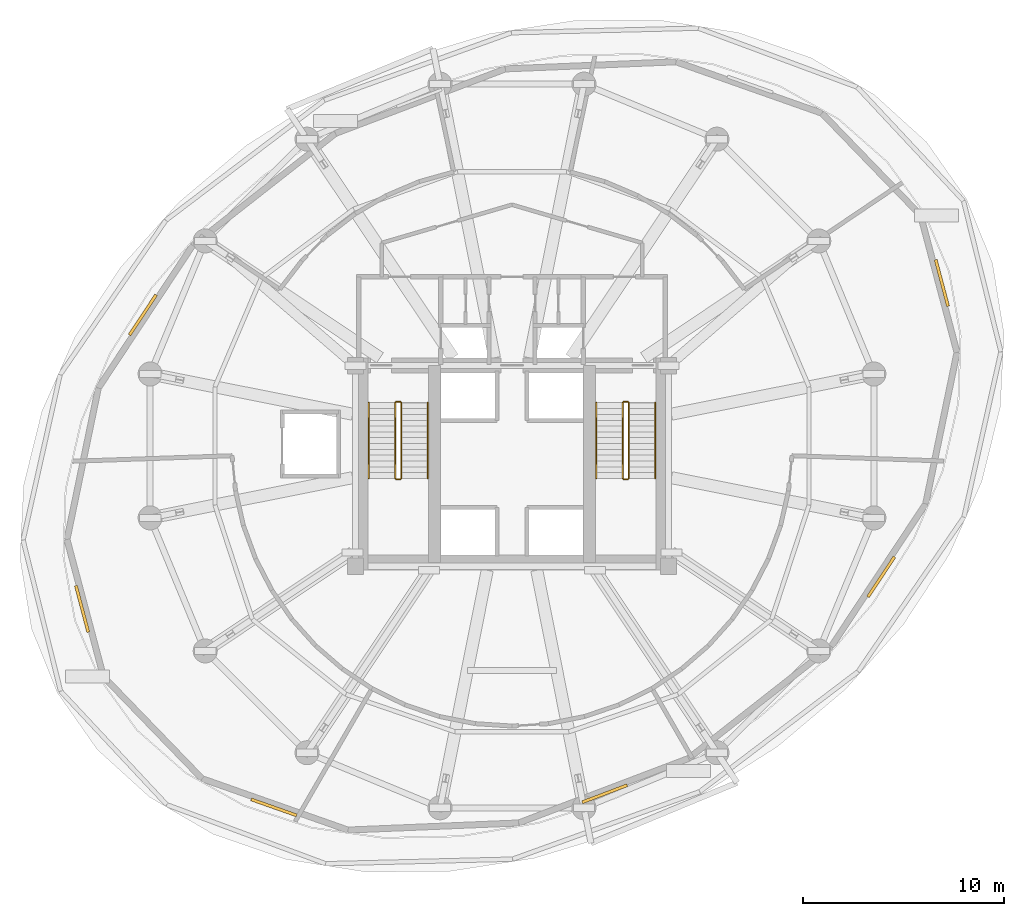
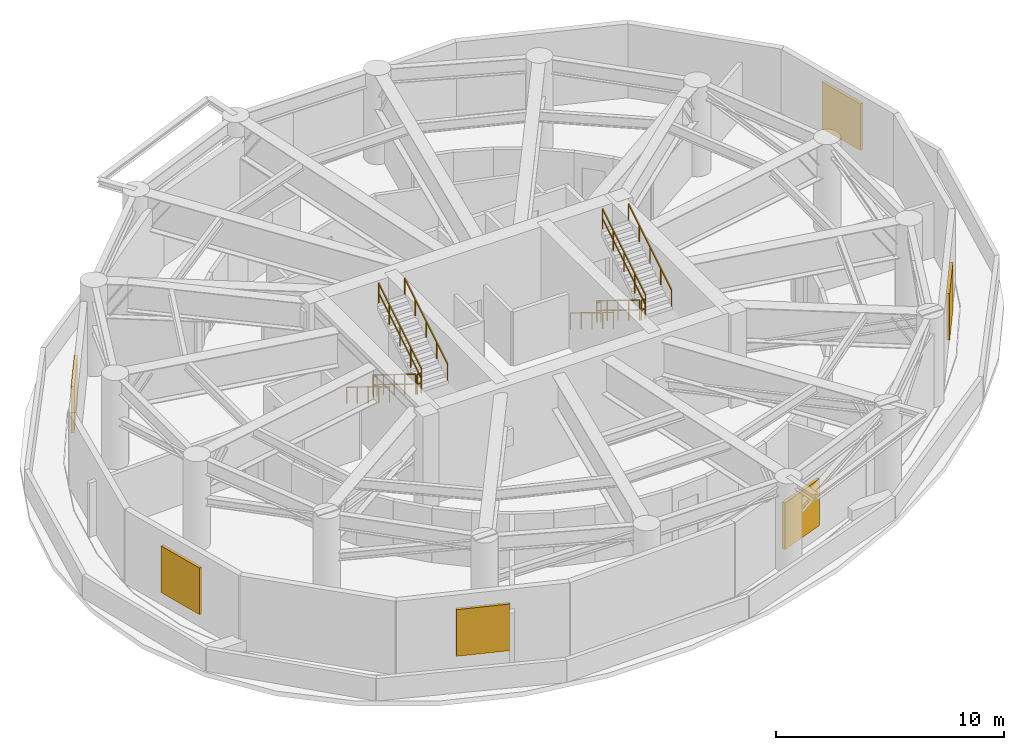
# One storey, part 6 of 7: 12 railings, 6 shading devices.
"""IFC4 building model written with IfcOpenShell, lengths in metres."""

from ifc_helpers import new_model, si_unit, direction, frame, origin, origin_2d, place, context, subcontext, project, spatial, rectangle, extrude, material, layer, layer_set, type_object, element, save


model = new_model("IFC4")

# Units and contexts
model_context = context("Model", 3, precision=1e-05, world=origin(), true_north=direction((0.0, 1.0)))
body_context = subcontext(model_context, "Body", "Model", "MODEL_VIEW")
ifc_project = project(units=[si_unit("LENGTHUNIT", "METRE"), si_unit("AREAUNIT", "SQUARE_METRE"), si_unit("VOLUMEUNIT", "CUBIC_METRE"), si_unit("PLANEANGLEUNIT", "RADIAN"), si_unit("MASSUNIT", "GRAM", prefix="KILO"), si_unit("THERMODYNAMICTEMPERATUREUNIT", "KELVIN"), si_unit("POWERUNIT", "WATT")], contexts=[model_context])

# Site, building, storey
site_placement = place(None, origin())
site = spatial("IfcSite", under=ifc_project, at=site_placement, CompositionType="ELEMENT")
building_placement = place(site_placement, origin())
building = spatial("IfcBuilding", under=site, at=building_placement, Name="Ocrelia Relay Tower", CompositionType="ELEMENT")
storey_placement = place(building_placement, frame((0.0, 0.0, 157.800048828125)))
storey = spatial("IfcBuildingStorey", under=building, at=storey_placement, Name="L37", CompositionType="ELEMENT", Elevation=157.800048828125)

# Railings
ifc_material_1 = material(Name="Steel S355 balustrade", Category="steel")
railing_type_1 = type_object("IfcRailingType", Name="RL-STAIR-GUARD", PredefinedType="GUARDRAIL", material=ifc_material_1)
railing_1_placement = place(storey_placement, frame((28.179931640625, 28.14990234375, 0.178466796875)))
element("IfcRailing", 1, at=railing_1_placement, inside=storey, type_object=railing_type_1, Name="L37 ST1 stair guard 1", PredefinedType="GUARDRAIL", context=body_context, shape_type="SweptSolid", body=[
    extrude(rectangle(XDim=0.048095703125, YDim=0.048095703125, at=origin_2d()), frame((0.0, 0.0, 1.076171875), z_axis=(0.0, -0.851504923564, 0.524346607834), x_axis=(1.0, 0.0, 0.0)), (0.0, 0.0, 1.0), 4.427490234375),
    extrude(rectangle(XDim=0.048095703125, YDim=0.048095703125, at=origin_2d()), frame((0.0, 0.0, 0.550048828125), z_axis=(0.0, -0.851504923564, 0.524346607834), x_axis=(1.0, 0.0, 0.0)), (0.0, 0.0, 1.0), 4.427490234375),
    extrude(rectangle(XDim=0.0419921875, YDim=0.0419921875, at=origin_2d()), origin(), (0.0, 0.0, 1.0), 1.052001953125),
    extrude(rectangle(XDim=0.0419921875, YDim=0.0419921875, at=origin_2d()), frame((0.0, -0.9423828125, 0.580322265625)), (0.0, 0.0, 1.0), 1.052001953125),
    extrude(rectangle(XDim=0.0419921875, YDim=0.0419921875, at=origin_2d()), frame((0.0, -1.885009765625, 1.16064453125)), (0.0, 0.0, 1.0), 1.052001953125),
    extrude(rectangle(XDim=0.0419921875, YDim=0.0419921875, at=origin_2d()), frame((0.0, -2.82763671875, 1.7412109375)), (0.0, 0.0, 1.0), 1.052001953125),
    extrude(rectangle(XDim=0.0419921875, YDim=0.0419921875, at=origin_2d()), frame((0.0, -3.77001953125, 2.321533203125)), (0.0, 0.0, 1.0), 1.052001953125),
])
railing_2_placement = place(storey_placement, frame((28.22998046875, 24.330078125, 2.5)))
element("IfcRailing", 2, at=railing_2_placement, inside=storey, type_object=railing_type_1, Name="L37 ST1 stair guard 2", PredefinedType="GUARDRAIL", context=body_context, shape_type="SweptSolid", body=[
    extrude(rectangle(XDim=0.048095703125, YDim=0.048095703125, at=origin_2d()), frame((0.0, 0.0, 1.076171875), z_axis=(1.0, 0.0, 0.0), x_axis=(0.0, 1.0, 0.0)), (0.0, 0.0, 1.0), 0.199951171875),
    extrude(rectangle(XDim=0.048095703125, YDim=0.048095703125, at=origin_2d()), frame((0.0, 0.0, 0.550048828125), z_axis=(1.0, 0.0, 0.0), x_axis=(0.0, 1.0, 0.0)), (0.0, 0.0, 1.0), 0.199951171875),
    extrude(rectangle(XDim=0.0419921875, YDim=0.0419921875, at=origin_2d()), origin(), (0.0, 0.0, 1.0), 1.052001953125),
    extrude(rectangle(XDim=0.0419921875, YDim=0.0419921875, at=origin_2d()), frame((0.199951171875, 0.0, 0.0)), (0.0, 0.0, 1.0), 1.052001953125),
])
railing_3_placement = place(storey_placement, frame((28.47998046875, 24.3798828125, 2.678466796875)))
element("IfcRailing", 3, at=railing_3_placement, inside=storey, type_object=railing_type_1, Name="L37 ST1 stair guard 3", PredefinedType="GUARDRAIL", context=body_context, shape_type="SweptSolid", body=[
    extrude(rectangle(XDim=0.048095703125, YDim=0.048095703125, at=origin_2d()), frame((0.0, 0.0, 1.076171875), z_axis=(0.0, 0.851504923564, 0.524346607834), x_axis=(-1.0, 0.0, 0.0)), (0.0, 0.0, 1.0), 4.427490234375),
    extrude(rectangle(XDim=0.048095703125, YDim=0.048095703125, at=origin_2d()), frame((0.0, 0.0, 0.550048828125), z_axis=(0.0, 0.851504923564, 0.524346607834), x_axis=(-1.0, 0.0, 0.0)), (0.0, 0.0, 1.0), 4.427490234375),
    extrude(rectangle(XDim=0.0419921875, YDim=0.0419921875, at=origin_2d()), origin(), (0.0, 0.0, 1.0), 1.052001953125),
    extrude(rectangle(XDim=0.0419921875, YDim=0.0419921875, at=origin_2d()), frame((0.0, 0.9423828125, 0.580322265625)), (0.0, 0.0, 1.0), 1.052001953125),
    extrude(rectangle(XDim=0.0419921875, YDim=0.0419921875, at=origin_2d()), frame((0.0, 1.885009765625, 1.16064453125)), (0.0, 0.0, 1.0), 1.052001953125),
    extrude(rectangle(XDim=0.0419921875, YDim=0.0419921875, at=origin_2d()), frame((0.0, 2.82763671875, 1.7412109375)), (0.0, 0.0, 1.0), 1.052001953125),
    extrude(rectangle(XDim=0.0419921875, YDim=0.0419921875, at=origin_2d()), frame((0.0, 3.77001953125, 2.321533203125)), (0.0, 0.0, 1.0), 1.052001953125),
])
railing_4_placement = place(storey_placement, frame((28.22998046875, 28.199951171875, 0.0)))
element("IfcRailing", 4, at=railing_4_placement, inside=storey, type_object=railing_type_1, Name="L37 ST1 stair guard 4", PredefinedType="GUARDRAIL", context=body_context, shape_type="SweptSolid", body=[
    extrude(rectangle(XDim=0.048095703125, YDim=0.048095703125, at=origin_2d()), frame((0.0, 0.0, 1.076171875), z_axis=(1.0, 0.0, 0.0), x_axis=(0.0, 1.0, 0.0)), (0.0, 0.0, 1.0), 0.199951171875),
    extrude(rectangle(XDim=0.048095703125, YDim=0.048095703125, at=origin_2d()), frame((0.0, 0.0, 0.550048828125), z_axis=(1.0, 0.0, 0.0), x_axis=(0.0, 1.0, 0.0)), (0.0, 0.0, 1.0), 0.199951171875),
    extrude(rectangle(XDim=0.0419921875, YDim=0.0419921875, at=origin_2d()), origin(), (0.0, 0.0, 1.0), 1.052001953125),
    extrude(rectangle(XDim=0.0419921875, YDim=0.0419921875, at=origin_2d()), frame((0.199951171875, 0.0, 0.0)), (0.0, 0.0, 1.0), 1.052001953125),
])
railing_5_placement = place(storey_placement, frame((39.530029296875, 28.14990234375, 0.178466796875)))
element("IfcRailing", 5, at=railing_5_placement, inside=storey, type_object=railing_type_1, Name="L37 ST2 stair guard 1", PredefinedType="GUARDRAIL", context=body_context, shape_type="SweptSolid", body=[
    extrude(rectangle(XDim=0.048095703125, YDim=0.048095703125, at=origin_2d()), frame((0.0, 0.0, 1.076171875), z_axis=(0.0, -0.851504923564, 0.524346607834), x_axis=(1.0, 0.0, 0.0)), (0.0, 0.0, 1.0), 4.427490234375),
    extrude(rectangle(XDim=0.048095703125, YDim=0.048095703125, at=origin_2d()), frame((0.0, 0.0, 0.550048828125), z_axis=(0.0, -0.851504923564, 0.524346607834), x_axis=(1.0, 0.0, 0.0)), (0.0, 0.0, 1.0), 4.427490234375),
    extrude(rectangle(XDim=0.0419921875, YDim=0.0419921875, at=origin_2d()), origin(), (0.0, 0.0, 1.0), 1.052001953125),
    extrude(rectangle(XDim=0.0419921875, YDim=0.0419921875, at=origin_2d()), frame((0.0, -0.9423828125, 0.580322265625)), (0.0, 0.0, 1.0), 1.052001953125),
    extrude(rectangle(XDim=0.0419921875, YDim=0.0419921875, at=origin_2d()), frame((0.0, -1.885009765625, 1.16064453125)), (0.0, 0.0, 1.0), 1.052001953125),
    extrude(rectangle(XDim=0.0419921875, YDim=0.0419921875, at=origin_2d()), frame((0.0, -2.82763671875, 1.7412109375)), (0.0, 0.0, 1.0), 1.052001953125),
    extrude(rectangle(XDim=0.0419921875, YDim=0.0419921875, at=origin_2d()), frame((0.0, -3.77001953125, 2.321533203125)), (0.0, 0.0, 1.0), 1.052001953125),
])
railing_6_placement = place(storey_placement, frame((39.580078125, 24.330078125, 2.5)))
element("IfcRailing", 6, at=railing_6_placement, inside=storey, type_object=railing_type_1, Name="L37 ST2 stair guard 2", PredefinedType="GUARDRAIL", context=body_context, shape_type="SweptSolid", body=[
    extrude(rectangle(XDim=0.048095703125, YDim=0.048095703125, at=origin_2d()), frame((0.0, 0.0, 1.076171875), z_axis=(1.0, 0.0, 0.0), x_axis=(0.0, 1.0, 0.0)), (0.0, 0.0, 1.0), 0.199951171875),
    extrude(rectangle(XDim=0.048095703125, YDim=0.048095703125, at=origin_2d()), frame((0.0, 0.0, 0.550048828125), z_axis=(1.0, 0.0, 0.0), x_axis=(0.0, 1.0, 0.0)), (0.0, 0.0, 1.0), 0.199951171875),
    extrude(rectangle(XDim=0.0419921875, YDim=0.0419921875, at=origin_2d()), origin(), (0.0, 0.0, 1.0), 1.052001953125),
    extrude(rectangle(XDim=0.0419921875, YDim=0.0419921875, at=origin_2d()), frame((0.199951171875, 0.0, 0.0)), (0.0, 0.0, 1.0), 1.052001953125),
])
railing_7_placement = place(storey_placement, frame((39.830078125, 24.3798828125, 2.678466796875)))
element("IfcRailing", 7, at=railing_7_placement, inside=storey, type_object=railing_type_1, Name="L37 ST2 stair guard 3", PredefinedType="GUARDRAIL", context=body_context, shape_type="SweptSolid", body=[
    extrude(rectangle(XDim=0.048095703125, YDim=0.048095703125, at=origin_2d()), frame((0.0, 0.0, 1.076171875), z_axis=(0.0, 0.851504923564, 0.524346607834), x_axis=(-1.0, 0.0, 0.0)), (0.0, 0.0, 1.0), 4.427490234375),
    extrude(rectangle(XDim=0.048095703125, YDim=0.048095703125, at=origin_2d()), frame((0.0, 0.0, 0.550048828125), z_axis=(0.0, 0.851504923564, 0.524346607834), x_axis=(-1.0, 0.0, 0.0)), (0.0, 0.0, 1.0), 4.427490234375),
    extrude(rectangle(XDim=0.0419921875, YDim=0.0419921875, at=origin_2d()), origin(), (0.0, 0.0, 1.0), 1.052001953125),
    extrude(rectangle(XDim=0.0419921875, YDim=0.0419921875, at=origin_2d()), frame((0.0, 0.9423828125, 0.580322265625)), (0.0, 0.0, 1.0), 1.052001953125),
    extrude(rectangle(XDim=0.0419921875, YDim=0.0419921875, at=origin_2d()), frame((0.0, 1.885009765625, 1.16064453125)), (0.0, 0.0, 1.0), 1.052001953125),
    extrude(rectangle(XDim=0.0419921875, YDim=0.0419921875, at=origin_2d()), frame((0.0, 2.82763671875, 1.7412109375)), (0.0, 0.0, 1.0), 1.052001953125),
    extrude(rectangle(XDim=0.0419921875, YDim=0.0419921875, at=origin_2d()), frame((0.0, 3.77001953125, 2.321533203125)), (0.0, 0.0, 1.0), 1.052001953125),
])
railing_8_placement = place(storey_placement, frame((39.580078125, 28.199951171875, 0.0)))
element("IfcRailing", 8, at=railing_8_placement, inside=storey, type_object=railing_type_1, Name="L37 ST2 stair guard 4", PredefinedType="GUARDRAIL", context=body_context, shape_type="SweptSolid", body=[
    extrude(rectangle(XDim=0.048095703125, YDim=0.048095703125, at=origin_2d()), frame((0.0, 0.0, 1.076171875), z_axis=(1.0, 0.0, 0.0), x_axis=(0.0, 1.0, 0.0)), (0.0, 0.0, 1.0), 0.199951171875),
    extrude(rectangle(XDim=0.048095703125, YDim=0.048095703125, at=origin_2d()), frame((0.0, 0.0, 0.550048828125), z_axis=(1.0, 0.0, 0.0), x_axis=(0.0, 1.0, 0.0)), (0.0, 0.0, 1.0), 0.199951171875),
    extrude(rectangle(XDim=0.0419921875, YDim=0.0419921875, at=origin_2d()), origin(), (0.0, 0.0, 1.0), 1.052001953125),
    extrude(rectangle(XDim=0.0419921875, YDim=0.0419921875, at=origin_2d()), frame((0.199951171875, 0.0, 0.0)), (0.0, 0.0, 1.0), 1.052001953125),
])
ifc_material_2 = material(Name="Steel S355 tubular handrail", Category="steel")
railing_type_2 = type_object("IfcRailingType", Name="RL-STAIR-HAND", PredefinedType="HANDRAIL", material=ifc_material_2)
railing_9_placement = place(storey_placement, frame((26.860107421875, 28.14990234375, 0.178466796875)))
element("IfcRailing", 9, at=railing_9_placement, inside=storey, type_object=railing_type_2, Name="L37 ST1 stair handrail 1", PredefinedType="HANDRAIL", context=body_context, shape_type="SweptSolid", body=[
    extrude(rectangle(XDim=0.048095703125, YDim=0.048095703125, at=origin_2d()), frame((0.0, 0.0, 0.8759765625), z_axis=(0.0, -0.851504923564, 0.524346607834), x_axis=(1.0, 0.0, 0.0)), (0.0, 0.0, 1.0), 4.427490234375),
    extrude(rectangle(XDim=0.0419921875, YDim=0.0419921875, at=origin_2d()), origin(), (0.0, 0.0, 1.0), 0.851806640625),
    extrude(rectangle(XDim=0.0419921875, YDim=0.0419921875, at=origin_2d()), frame((0.0, -0.9423828125, 0.580322265625)), (0.0, 0.0, 1.0), 0.851806640625),
    extrude(rectangle(XDim=0.0419921875, YDim=0.0419921875, at=origin_2d()), frame((0.0, -1.885009765625, 1.16064453125)), (0.0, 0.0, 1.0), 0.851806640625),
    extrude(rectangle(XDim=0.0419921875, YDim=0.0419921875, at=origin_2d()), frame((0.0, -2.82763671875, 1.7412109375)), (0.0, 0.0, 1.0), 0.851806640625),
    extrude(rectangle(XDim=0.0419921875, YDim=0.0419921875, at=origin_2d()), frame((0.0, -3.77001953125, 2.321533203125)), (0.0, 0.0, 1.0), 0.851806640625),
])
railing_10_placement = place(storey_placement, frame((29.800048828125, 24.3798828125, 2.678466796875)))
element("IfcRailing", 10, at=railing_10_placement, inside=storey, type_object=railing_type_2, Name="L37 ST1 stair handrail 2", PredefinedType="HANDRAIL", context=body_context, shape_type="SweptSolid", body=[
    extrude(rectangle(XDim=0.048095703125, YDim=0.048095703125, at=origin_2d()), frame((0.0, 0.0, 0.8759765625), z_axis=(0.0, 0.851504923564, 0.524346607834), x_axis=(-1.0, 0.0, 0.0)), (0.0, 0.0, 1.0), 4.427490234375),
    extrude(rectangle(XDim=0.0419921875, YDim=0.0419921875, at=origin_2d()), origin(), (0.0, 0.0, 1.0), 0.851806640625),
    extrude(rectangle(XDim=0.0419921875, YDim=0.0419921875, at=origin_2d()), frame((0.0, 0.9423828125, 0.580322265625)), (0.0, 0.0, 1.0), 0.851806640625),
    extrude(rectangle(XDim=0.0419921875, YDim=0.0419921875, at=origin_2d()), frame((0.0, 1.885009765625, 1.16064453125)), (0.0, 0.0, 1.0), 0.851806640625),
    extrude(rectangle(XDim=0.0419921875, YDim=0.0419921875, at=origin_2d()), frame((0.0, 2.82763671875, 1.7412109375)), (0.0, 0.0, 1.0), 0.851806640625),
    extrude(rectangle(XDim=0.0419921875, YDim=0.0419921875, at=origin_2d()), frame((0.0, 3.77001953125, 2.321533203125)), (0.0, 0.0, 1.0), 0.851806640625),
])
railing_11_placement = place(storey_placement, frame((38.2099609375, 28.14990234375, 0.178466796875)))
element("IfcRailing", 11, at=railing_11_placement, inside=storey, type_object=railing_type_2, Name="L37 ST2 stair handrail 1", PredefinedType="HANDRAIL", context=body_context, shape_type="SweptSolid", body=[
    extrude(rectangle(XDim=0.048095703125, YDim=0.048095703125, at=origin_2d()), frame((0.0, 0.0, 0.8759765625), z_axis=(0.0, -0.851504923564, 0.524346607834), x_axis=(1.0, 0.0, 0.0)), (0.0, 0.0, 1.0), 4.427490234375),
    extrude(rectangle(XDim=0.0419921875, YDim=0.0419921875, at=origin_2d()), origin(), (0.0, 0.0, 1.0), 0.851806640625),
    extrude(rectangle(XDim=0.0419921875, YDim=0.0419921875, at=origin_2d()), frame((0.0, -0.9423828125, 0.580322265625)), (0.0, 0.0, 1.0), 0.851806640625),
    extrude(rectangle(XDim=0.0419921875, YDim=0.0419921875, at=origin_2d()), frame((0.0, -1.885009765625, 1.16064453125)), (0.0, 0.0, 1.0), 0.851806640625),
    extrude(rectangle(XDim=0.0419921875, YDim=0.0419921875, at=origin_2d()), frame((0.0, -2.82763671875, 1.7412109375)), (0.0, 0.0, 1.0), 0.851806640625),
    extrude(rectangle(XDim=0.0419921875, YDim=0.0419921875, at=origin_2d()), frame((0.0, -3.77001953125, 2.321533203125)), (0.0, 0.0, 1.0), 0.851806640625),
])
railing_12_placement = place(storey_placement, frame((41.14990234375, 24.3798828125, 2.678466796875)))
element("IfcRailing", 12, at=railing_12_placement, inside=storey, type_object=railing_type_2, Name="L37 ST2 stair handrail 2", PredefinedType="HANDRAIL", context=body_context, shape_type="SweptSolid", body=[
    extrude(rectangle(XDim=0.048095703125, YDim=0.048095703125, at=origin_2d()), frame((0.0, 0.0, 0.8759765625), z_axis=(0.0, 0.851504923564, 0.524346607834), x_axis=(-1.0, 0.0, 0.0)), (0.0, 0.0, 1.0), 4.427490234375),
    extrude(rectangle(XDim=0.0419921875, YDim=0.0419921875, at=origin_2d()), origin(), (0.0, 0.0, 1.0), 0.851806640625),
    extrude(rectangle(XDim=0.0419921875, YDim=0.0419921875, at=origin_2d()), frame((0.0, 0.9423828125, 0.580322265625)), (0.0, 0.0, 1.0), 0.851806640625),
    extrude(rectangle(XDim=0.0419921875, YDim=0.0419921875, at=origin_2d()), frame((0.0, 1.885009765625, 1.16064453125)), (0.0, 0.0, 1.0), 0.851806640625),
    extrude(rectangle(XDim=0.0419921875, YDim=0.0419921875, at=origin_2d()), frame((0.0, 2.82763671875, 1.7412109375)), (0.0, 0.0, 1.0), 0.851806640625),
    extrude(rectangle(XDim=0.0419921875, YDim=0.0419921875, at=origin_2d()), frame((0.0, 3.77001953125, 2.321533203125)), (0.0, 0.0, 1.0), 0.851806640625),
])

# Shading devices
ifc_material_3 = material(Name="Acoustic bronze-terracotta aluminium louvre", Category="masonry")
ifc_layer = layer(ifc_material_3, 0.14990234375, Name="Acoustic bronze-terracotta aluminium louvre")
ifc_layer_set = layer_set([ifc_layer], Name="Acoustic bronze-terracotta aluminium louvre")
shading_device_type = type_object("IfcShadingDeviceType", Name="SH-PLANT-LOUVRE", PredefinedType="JALOUSIE", material=ifc_layer_set)
for number, where, z_axis, x_axis, name in (
    (13, (15.58642578125, 32.530517578125, 0.72998046875), (0.0, 0.0, 1.0), (-0.551605248163, -0.834105299227, 0.0), "L37 High-Altitude Plant Intake Louvre 06"),
    (14, (12.560546875, 17.874267578125, 0.72998046875), (0.0, 0.0, 1.0), (0.256691679837, -0.96649334271, 0.0), "L37 High-Altitude Plant Intake Louvre 08"),
    (15, (22.12548828125, 7.9736328125, 0.72998046875), (0.0, 0.0, 1.0), (0.94314729575, -0.332375057007, 0.0), "L37 High-Altitude Plant Intake Louvre 10"),
    (16, (38.623779296875, 8.6552734375, 0.72998046875), (0.0, 0.0, 1.0), (0.934838118311, 0.355074207108, 0.0), "L37 High-Altitude Plant Intake Louvre 12"),
    (17, (52.41357421875, 19.469482421875, 0.72998046875), (0.0, 0.0, 1.0), (0.551605248163, 0.834105299227, 0.0), "L37 High-Altitude Plant Intake Louvre 14"),
    (18, (55.439453125, 34.125732421875, 0.72998046875), (0.0, 0.0, 1.0), (-0.256691679837, 0.96649334271, 0.0), "L37 High-Altitude Plant Intake Louvre 16"),
):
    element("IfcShadingDevice", number, at=place(storey_placement, frame(where, z_axis=z_axis, x_axis=x_axis)), inside=storey, type_object=shading_device_type, Name=name, PredefinedType="JALOUSIE", context=body_context, shape_type="SweptSolid", body=[
        extrude(rectangle(XDim=2.39990234375, YDim=0.14990234375, at=origin_2d()), origin(), (0.0, 0.0, 1.0), 2.5),
    ])

save(model, "model.ifc")
